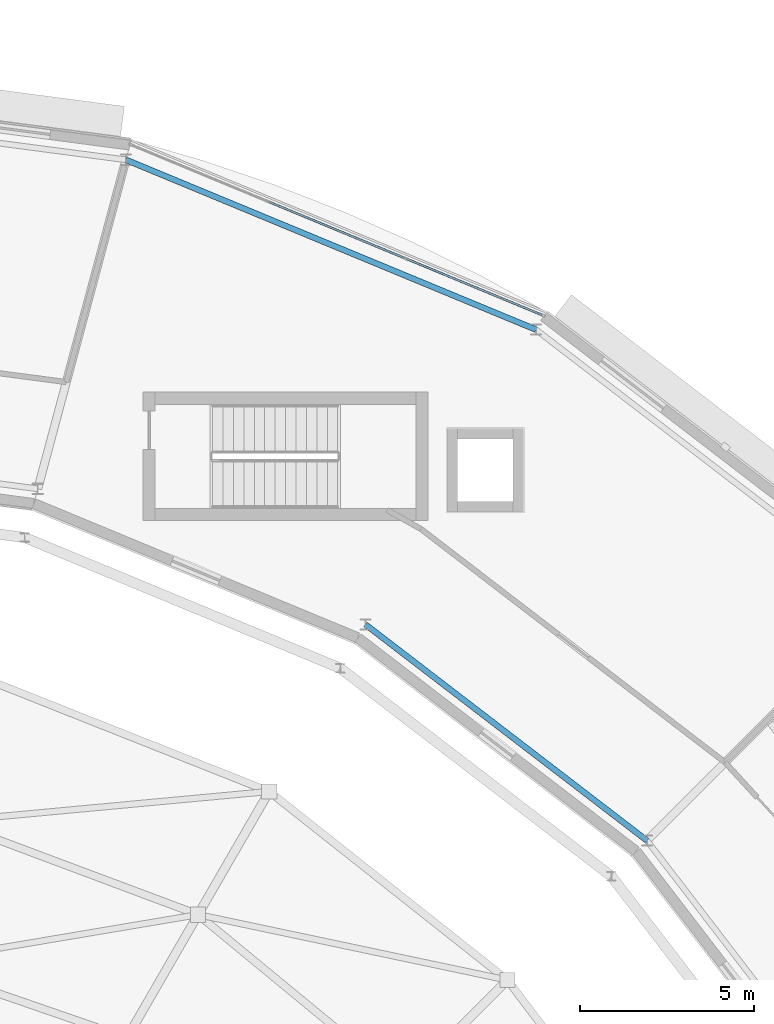
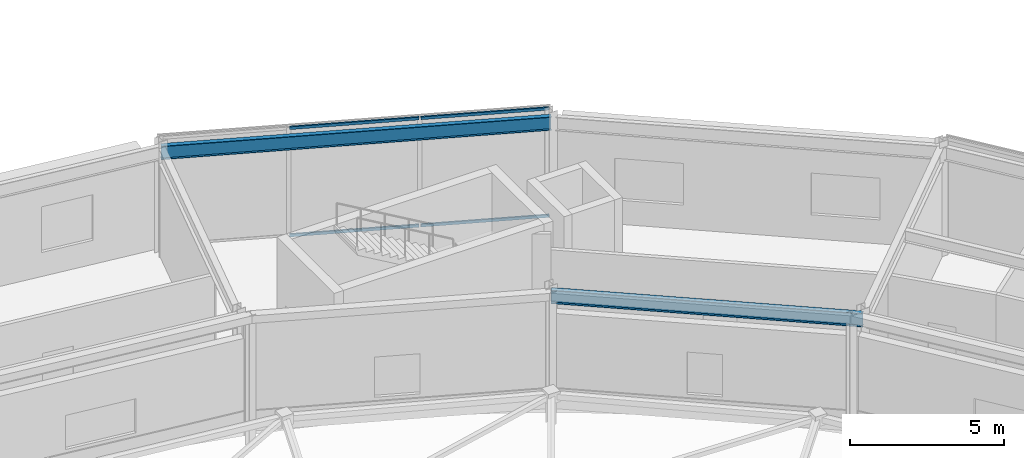
# One storey, part 41 of 89: 4 members, 2 beams, 1 element without a shape of its own.
"""IFC4 building model written with IfcOpenShell, lengths in metres."""

from ifc_helpers import new_model, si_unit, direction, frame, origin, origin_2d, place, context, subcontext, project, spatial, hollow_rectangle, i_section, extrude, material, material_profile, profile_set, type_object, element, aggregate, save


model = new_model("IFC4")

# Units and contexts
model_context = context("Model", 3, precision=1e-05, world=origin(), true_north=direction((0.0, 1.0)))
body_context = subcontext(model_context, "Body", "Model", "MODEL_VIEW")
ifc_project = project(units=[si_unit("LENGTHUNIT", "METRE"), si_unit("AREAUNIT", "SQUARE_METRE"), si_unit("VOLUMEUNIT", "CUBIC_METRE"), si_unit("PLANEANGLEUNIT", "RADIAN"), si_unit("MASSUNIT", "GRAM", prefix="KILO")], contexts=[model_context])

# Site, building, storey
site_placement = place(None, origin())
site = spatial("IfcSite", under=ifc_project, at=site_placement, CompositionType="ELEMENT")
building_placement = place(site_placement, origin())
building = spatial("IfcBuilding", under=site, at=building_placement, Name="Almandine Court Research Institute", CompositionType="ELEMENT")
storey_placement = place(building_placement, frame((0.0, 0.0, 18.89990234375)))
storey = spatial("IfcBuildingStorey", under=building, at=storey_placement, Name="L04", CompositionType="ELEMENT", Elevation=18.89990234375)

# Beams
ifc_material_1 = material(Name="Steel ASTM A992 Grade 50", Category="steel")
ifc_material_profile_1 = material_profile(ifc_material_1, i_section(OverallWidth=0.166015625, OverallDepth=0.534912109375, WebThickness=0.010009765625, FlangeThickness=0.01708984375, at=origin_2d()), Name="W530x85")
ifc_profile_set_1 = profile_set([ifc_material_profile_1], Name="Steel ASTM A992 Grade 50")
beam_type = type_object("IfcBeamType", Name="Beam-G-05-E", PredefinedType="SPANDREL", material=ifc_profile_set_1)
beam_1_placement = place(storey_placement, frame((114.64794921875, 83.64794921875, 4.041015625), z_axis=(-0.793335653042, 0.608784478787, 0.0), x_axis=(-0.608784478787, -0.793335653042, 0.0)))
element("IfcBeam", 1, at=beam_1_placement, inside=storey, type_object=beam_type, Name="L04 Drum IN Ring Beam 03", PredefinedType="SPANDREL", context=body_context, shape_type="SweptSolid", body=[
    extrude(i_section(OverallWidth=0.166015625, OverallDepth=0.534912109375, WebThickness=0.010009765625, FlangeThickness=0.01708984375, at=origin_2d()), origin(), (0.0, 0.0, 1.0), 10.20751953125),
])
beam_2_placement = place(storey_placement, frame((111.449951171875, 98.34912109375, 4.041015625), z_axis=(-0.923891897665, 0.382653578879, 0.0), x_axis=(-0.382653578879, -0.923891897665, 0.0)))
element("IfcBeam", 2, at=beam_2_placement, inside=storey, type_object=beam_type, Name="L04 Drum OUT Ring Beam 04", PredefinedType="SPANDREL", context=body_context, shape_type="SweptSolid", body=[
    extrude(i_section(OverallWidth=0.166015625, OverallDepth=0.534912109375, WebThickness=0.010009765625, FlangeThickness=0.01708984375, at=origin_2d()), origin(), (0.0, 0.0, 1.0), 12.765625),
])

# Curtain wall, members
ifc_material_2 = material(Name="Unitised Curtain Wall Framing and Solar Glazing", Category="glass")
curtain_wall_type = type_object("IfcCurtainWallType", Name="CW-CWG-22", PredefinedType="USERDEFINED", material=ifc_material_2)
curtain_wall_placement = place(storey_placement, origin())
curtain_wall = element("IfcCurtainWall", 3, at=curtain_wall_placement, inside=storey, type_object=curtain_wall_type, Name="L04 Stacked-Ring Drum Outer Unitised Glazing 04", ObjectType="UNITISED GLAZING", PredefinedType="USERDEFINED")
ifc_material_3 = material(Name="Anodised Aluminium AW-6063-T6", Category="aluminium")
ifc_material_profile_2 = material_profile(ifc_material_3, hollow_rectangle(XDim=0.06005859375, YDim=0.110107421875, WallThickness=0.00390625, at=origin_2d()), Name="ALU RHS 60x110x4")
ifc_profile_set_2 = profile_set([ifc_material_profile_2], Name="Anodised Aluminium AW-6063-T6")
member_type = type_object("IfcMemberType", Name="CWTrn-60x110", PredefinedType="NOTDEFINED", material=ifc_profile_set_2)
member_1_placement = place(storey_placement, frame((103.772705078125, 102.02294921875, 0.030029296875), z_axis=(0.92387693948, -0.382689692437, 0.0), x_axis=(0.382689692437, 0.92387693948, 0.0)))
member_1 = element("IfcMember", 4, at=member_1_placement, type_object=member_type, Name="CWG-22 transom 2.1", ObjectType="TRANSOM", PredefinedType="USERDEFINED", context=body_context, shape_type="SweptSolid", body=[
    extrude(hollow_rectangle(XDim=0.06005859375, YDim=0.110107421875, WallThickness=0.00390625, at=origin_2d()), origin(), (0.0, 0.0, 1.0), 4.23291015625),
])
member_2_placement = place(storey_placement, frame((103.772705078125, 102.02294921875, 4.280029296875), z_axis=(0.92387693948, -0.382689692437, 0.0), x_axis=(0.382689692437, 0.92387693948, 0.0)))
member_2 = element("IfcMember", 5, at=member_2_placement, type_object=member_type, Name="CWG-22 transom 2.2", ObjectType="TRANSOM", PredefinedType="USERDEFINED", context=body_context, shape_type="SweptSolid", body=[
    extrude(hollow_rectangle(XDim=0.06005859375, YDim=0.110107421875, WallThickness=0.00390625, at=origin_2d()), origin(), (0.0, 0.0, 1.0), 4.23291015625),
])
member_3_placement = place(storey_placement, frame((107.73876953125, 100.380126953125, 0.030029296875), z_axis=(0.923892933282, -0.382651078441, 0.0), x_axis=(0.382651078441, 0.923892933282, 0.0)))
member_3 = element("IfcMember", 6, at=member_3_placement, type_object=member_type, Name="CWG-22 transom 3.1", ObjectType="TRANSOM", PredefinedType="USERDEFINED", context=body_context, shape_type="SweptSolid", body=[
    extrude(hollow_rectangle(XDim=0.06005859375, YDim=0.110107421875, WallThickness=0.00390625, at=origin_2d()), origin(), (0.0, 0.0, 1.0), 4.20263671875),
])
member_4_placement = place(storey_placement, frame((107.73876953125, 100.380126953125, 4.280029296875), z_axis=(0.923892933282, -0.382651078441, 0.0), x_axis=(0.382651078441, 0.923892933282, 0.0)))
member_4 = element("IfcMember", 7, at=member_4_placement, type_object=member_type, Name="CWG-22 transom 3.2", ObjectType="TRANSOM", PredefinedType="USERDEFINED", context=body_context, shape_type="SweptSolid", body=[
    extrude(hollow_rectangle(XDim=0.06005859375, YDim=0.110107421875, WallThickness=0.00390625, at=origin_2d()), origin(), (0.0, 0.0, 1.0), 4.20263671875),
])
aggregate(curtain_wall, [member_1, member_2, member_3, member_4])

save(model, "model.ifc")
